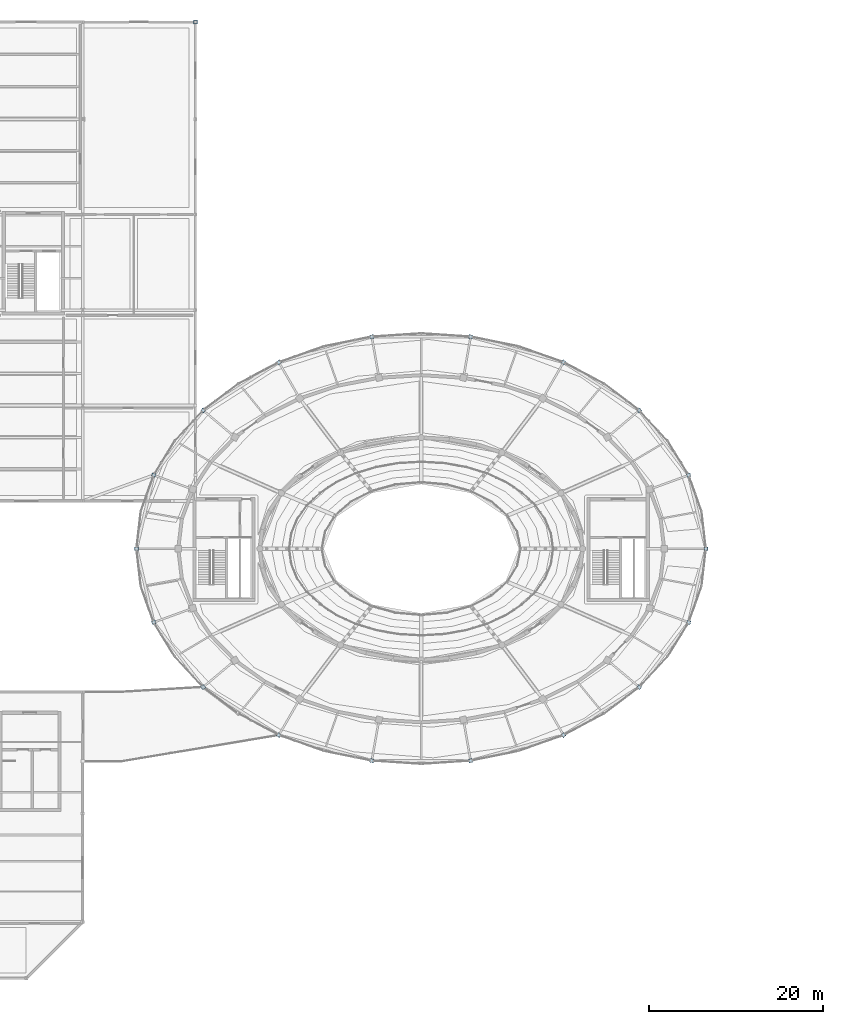
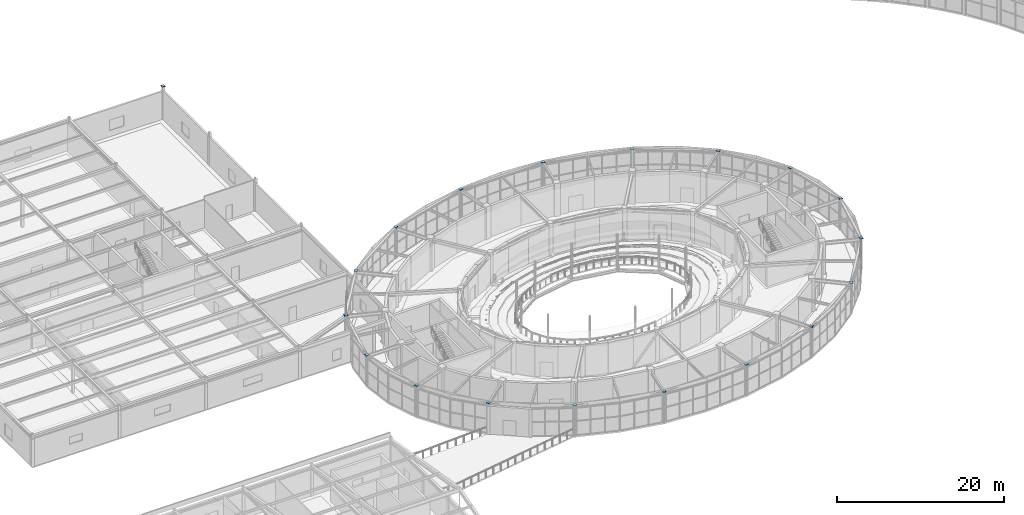
# One storey, part 86 of 108: 19 plates.
"""IFC4 building model written with IfcOpenShell, lengths in metres."""

from ifc_helpers import new_model, si_unit, direction, frame, origin, origin_2d, place, context, subcontext, project, spatial, rectangle, extrude, material, layer, layer_set, type_object, element, save


model = new_model("IFC4")

# Units and contexts
model_context = context("Model", 3, precision=1e-05, world=origin(), true_north=direction((0.0, 1.0)))
body_context = subcontext(model_context, "Body", "Model", "MODEL_VIEW")
ifc_project = project(units=[si_unit("LENGTHUNIT", "METRE"), si_unit("AREAUNIT", "SQUARE_METRE"), si_unit("VOLUMEUNIT", "CUBIC_METRE"), si_unit("PLANEANGLEUNIT", "RADIAN"), si_unit("MASSUNIT", "GRAM", prefix="KILO")], contexts=[model_context])

# Site, building, storey
site_placement = place(None, origin())
site = spatial("IfcSite", under=ifc_project, at=site_placement, CompositionType="ELEMENT")
building_placement = place(site_placement, origin())
building = spatial("IfcBuilding", under=site, at=building_placement, Name="Tarnveldt Headland Concert Hall", CompositionType="ELEMENT")
storey_placement = place(building_placement, frame((0.0, 0.0, 9.60009765625)))
storey = spatial("IfcBuildingStorey", under=building, at=storey_placement, Name="L02", CompositionType="ELEMENT", Elevation=9.60009765625)

# Plates
ifc_material = material(Name="Steel S355", Category="steel")
ifc_layer = layer(ifc_material, 0.02001953125, Name="Steel S355", Category="steel")
ifc_layer_set = layer_set([ifc_layer], Name="Steel S355")
plate_type = type_object("IfcPlateType", Name="PL-CAP440", PredefinedType="SHEET", material=ifc_layer_set)
for number, where, z_axis, x_axis, name in (
    (1, (116.300048828125, 54.5, 4.5498046875), (0.0, 0.0, 1.0), (1.0, 0.0, 0.0), "Hollow column top cap plate V1C01 L02"),
    (2, (114.322021484375, 62.982177734375, 4.5498046875), (0.0, 0.0, 1.0), (0.964141737836, 0.265387847052, 0.0), "Hollow column top cap plate V1C02 L02"),
    (3, (108.626220703125, 70.441162109375, 4.5498046875), (0.0, 0.0, 1.0), (0.84442143206, 0.535679423796, 0.0), "Hollow column top cap plate V1C03 L02"),
    (4, (99.89990234375, 75.977294921875, 4.5498046875), (0.0, 0.0, 1.0), (0.606959801962, 0.79473253287, 0.0), "Hollow column top cap plate V1C04 L02"),
    (5, (89.19580078125, 78.923095703125, 4.5498046875), (0.0, 0.0, 1.0), (0.227161248969, 0.973857159427, 0.0), "Hollow column top cap plate V1C05 L02"),
    (6, (77.80419921875, 78.923095703125, 4.5498046875), (0.0, 0.0, 1.0), (-0.227161248969, 0.973857159427, 0.0), "Hollow column top cap plate V1C06 L02"),
    (7, (67.10009765625, 75.977294921875, 4.5498046875), (0.0, 0.0, 1.0), (-0.606959801962, 0.79473253287, 0.0), "Hollow column top cap plate V1C07 L02"),
    (8, (58.373779296875, 70.441162109375, 4.5498046875), (0.0, 0.0, 1.0), (-0.84442143206, 0.535679423796, 0.0), "Hollow column top cap plate V1C08 L02"),
    (9, (52.677978515625, 62.982177734375, 4.5498046875), (0.0, 0.0, 1.0), (-0.964141737836, 0.265387847052, 0.0), "Hollow column top cap plate V1C09 L02"),
    (10, (50.699951171875, 54.5, 4.5498046875), (0.0, 0.0, 1.0), (-1.0, 0.0, 0.0), "Hollow column top cap plate V1C10 L02"),
    (11, (52.677978515625, 46.017822265625, 4.5498046875), (0.0, 0.0, 1.0), (-0.964141737836, -0.265387847052, 0.0), "Hollow column top cap plate V1C11 L02"),
    (12, (58.373779296875, 38.558837890625, 4.5498046875), (0.0, 0.0, 1.0), (-0.84442143206, -0.535679423796, 0.0), "Hollow column top cap plate V1C12 L02"),
    (13, (67.10009765625, 33.022705078125, 4.5498046875), (0.0, 0.0, 1.0), (-0.606959801962, -0.79473253287, 0.0), "Hollow column top cap plate V1C13 L02"),
    (14, (77.80419921875, 30.076904296875, 4.5498046875), (0.0, 0.0, 1.0), (-0.227161248969, -0.973857159427, 0.0), "Hollow column top cap plate V1C14 L02"),
    (15, (89.19580078125, 30.076904296875, 4.5498046875), (0.0, 0.0, 1.0), (0.227161248969, -0.973857159427, 0.0), "Hollow column top cap plate V1C15 L02"),
    (16, (99.89990234375, 33.022705078125, 4.5498046875), (0.0, 0.0, 1.0), (0.606959801962, -0.79473253287, 0.0), "Hollow column top cap plate V1C16 L02"),
    (17, (108.626220703125, 38.558837890625, 4.5498046875), (0.0, 0.0, 1.0), (0.84442143206, -0.535679423796, 0.0), "Hollow column top cap plate V1C17 L02"),
    (18, (114.322021484375, 46.017822265625, 4.5498046875), (0.0, 0.0, 1.0), (0.964141737836, -0.265387847052, 0.0), "Hollow column top cap plate V1C18 L02"),
    (19, (57.5, 115.199951171875, 4.77978515625), (0.0, 0.0, 1.0), (1.0, 0.0, 0.0), "Hollow column top cap plate V5C25 L02"),
):
    element("IfcPlate", number, at=place(storey_placement, frame(where, z_axis=z_axis, x_axis=x_axis)), inside=storey, type_object=plate_type, Name=name, PredefinedType="SHEET", context=body_context, shape_type="SweptSolid", body=[
        extrude(rectangle(XDim=0.43994140625, YDim=0.43994140625, at=origin_2d()), origin(), (0.0, 0.0, 1.0), 0.02001953125),
    ])

save(model, "model.ifc")
